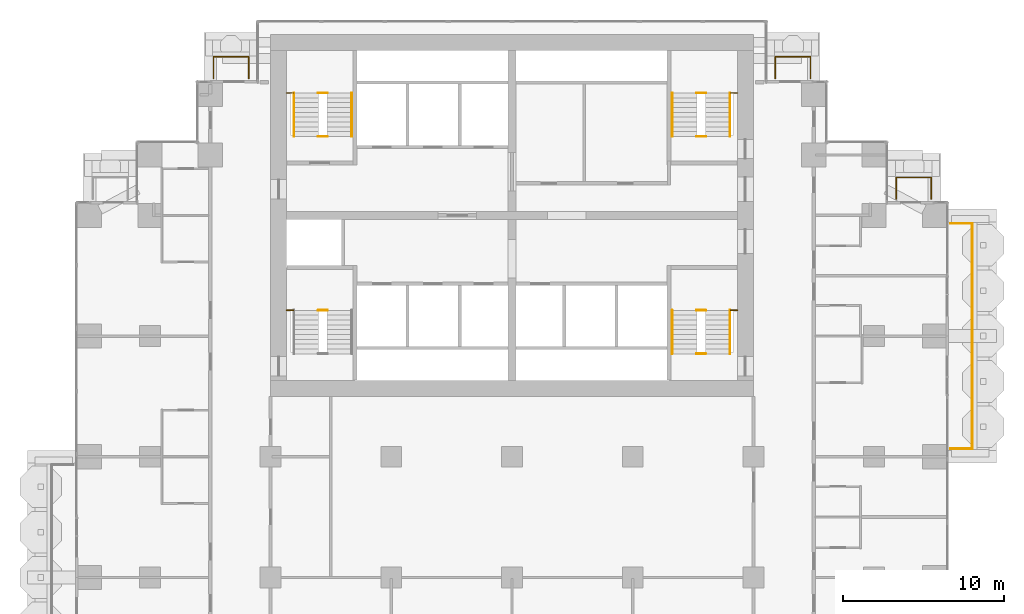
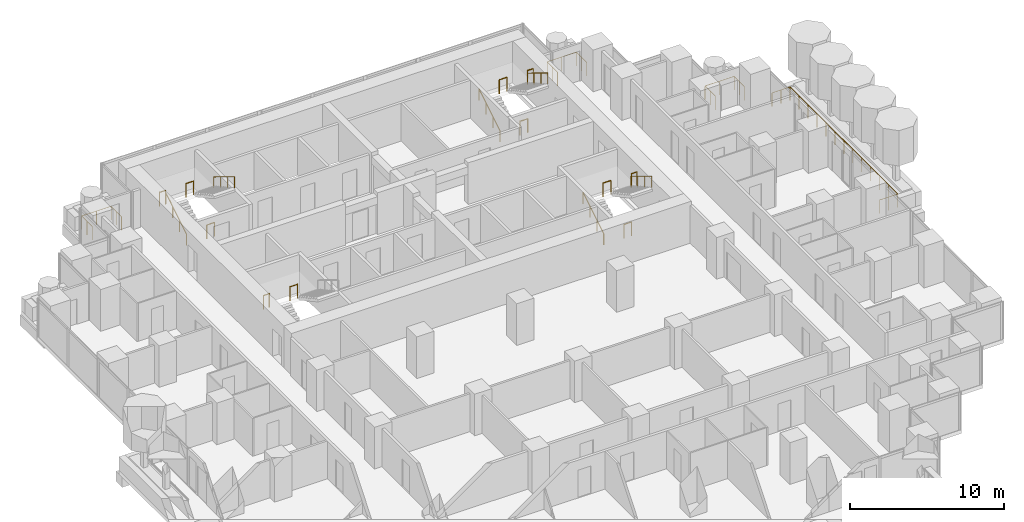
# One storey, part 18 of 19: 21 railings.
"""IFC4 building model written with IfcOpenShell, lengths in metres."""

from ifc_helpers import new_model, si_unit, direction, frame, origin, origin_2d, place, context, subcontext, project, spatial, circle, extrude, material, type_object, element, save


model = new_model("IFC4")

# Units and contexts
model_context = context("Model", 3, precision=1e-05, world=origin(), true_north=direction((0.0, 1.0)))
body_context = subcontext(model_context, "Body", "Model", "MODEL_VIEW")
ifc_project = project(units=[si_unit("LENGTHUNIT", "METRE"), si_unit("AREAUNIT", "SQUARE_METRE"), si_unit("VOLUMEUNIT", "CUBIC_METRE"), si_unit("PLANEANGLEUNIT", "RADIAN"), si_unit("MASSUNIT", "GRAM", prefix="KILO")], contexts=[model_context])

# Site, building, storey
site_placement = place(None, origin())
site = spatial("IfcSite", under=ifc_project, at=site_placement, CompositionType="ELEMENT")
building_placement = place(site_placement, origin())
building = spatial("IfcBuilding", under=site, at=building_placement, Name="Pilkhan Gate Tower", CompositionType="ELEMENT")
storey_placement = place(building_placement, frame((0.0, 0.0, 79.10009765625)))
storey = spatial("IfcBuildingStorey", under=building, at=storey_placement, Name="L18", CompositionType="ELEMENT", Elevation=79.10009765625)

# Railings
ifc_material_1 = material(Name="Pale anodised aluminium posts, laminated glass infill", Category="aluminium")
railing_type_1 = type_object("IfcRailingType", Name="Balcony guard G1", PredefinedType="BALUSTRADE", material=ifc_material_1)
railing_1_placement = place(storey_placement, frame((102.25, 68.0, 0.0)))
element("IfcRailing", 1, at=railing_1_placement, inside=storey, type_object=railing_type_1, Name="Balcony guard L18 E", PredefinedType="BALUSTRADE", context=body_context, shape_type="SweptSolid", body=[
    extrude(circle(Radius=0.02392578125, at=origin_2d()), frame((0.0, 0.0, 1.076171875), z_axis=(1.0, 0.0, 0.0), x_axis=(0.0, 1.0, 0.0)), (0.0, 0.0, 1.0), 1.35009765625),
    extrude(circle(Radius=0.02392578125, at=origin_2d()), frame((1.35009765625, 0.0, 1.076171875), z_axis=(0.0, 1.0, 0.0), x_axis=(-1.0, 0.0, 0.0)), (0.0, 0.0, 1.0), 14.0),
    extrude(circle(Radius=0.02392578125, at=origin_2d()), frame((1.35009765625, 14.0, 1.076171875), z_axis=(-1.0, 0.0, 0.0), x_axis=(0.0, -1.0, 0.0)), (0.0, 0.0, 1.0), 1.35009765625),
    extrude(circle(Radius=0.02099609375, at=origin_2d()), origin(), (0.0, 0.0, 1.0), 1.052001953125),
    extrude(circle(Radius=0.02099609375, at=origin_2d()), frame((0.675048828125, 0.0, 0.0)), (0.0, 0.0, 1.0), 1.052001953125),
    extrude(circle(Radius=0.02099609375, at=origin_2d()), frame((1.35009765625, 0.0, 0.0)), (0.0, 0.0, 1.0), 1.052001953125),
    extrude(circle(Radius=0.02099609375, at=origin_2d()), frame((1.35009765625, 1.166748046875, 0.0)), (0.0, 0.0, 1.0), 1.052001953125),
    extrude(circle(Radius=0.02099609375, at=origin_2d()), frame((1.35009765625, 2.333251953125, 0.0)), (0.0, 0.0, 1.0), 1.052001953125),
    extrude(circle(Radius=0.02099609375, at=origin_2d()), frame((1.35009765625, 3.5, 0.0)), (0.0, 0.0, 1.0), 1.052001953125),
    extrude(circle(Radius=0.02099609375, at=origin_2d()), frame((1.35009765625, 4.666748046875, 0.0)), (0.0, 0.0, 1.0), 1.052001953125),
    extrude(circle(Radius=0.02099609375, at=origin_2d()), frame((1.35009765625, 5.833251953125, 0.0)), (0.0, 0.0, 1.0), 1.052001953125),
    extrude(circle(Radius=0.02099609375, at=origin_2d()), frame((1.35009765625, 7.0, 0.0)), (0.0, 0.0, 1.0), 1.052001953125),
    extrude(circle(Radius=0.02099609375, at=origin_2d()), frame((1.35009765625, 8.166748046875, 0.0)), (0.0, 0.0, 1.0), 1.052001953125),
    extrude(circle(Radius=0.02099609375, at=origin_2d()), frame((1.35009765625, 9.333251953125, 0.0)), (0.0, 0.0, 1.0), 1.052001953125),
    extrude(circle(Radius=0.02099609375, at=origin_2d()), frame((1.35009765625, 10.5, 0.0)), (0.0, 0.0, 1.0), 1.052001953125),
    extrude(circle(Radius=0.02099609375, at=origin_2d()), frame((1.35009765625, 11.666748046875, 0.0)), (0.0, 0.0, 1.0), 1.052001953125),
    extrude(circle(Radius=0.02099609375, at=origin_2d()), frame((1.35009765625, 12.833251953125, 0.0)), (0.0, 0.0, 1.0), 1.052001953125),
    extrude(circle(Radius=0.02099609375, at=origin_2d()), frame((1.35009765625, 14.0, 0.0)), (0.0, 0.0, 1.0), 1.052001953125),
    extrude(circle(Radius=0.02099609375, at=origin_2d()), frame((0.675048828125, 14.0, 0.0)), (0.0, 0.0, 1.0), 1.052001953125),
    extrude(circle(Radius=0.02099609375, at=origin_2d()), frame((0.0, 14.0, 0.0)), (0.0, 0.0, 1.0), 1.052001953125),
])
for number, where, name in (
    (2, (56.449951171875, 91.0, 0.0), "Balcony guard L18 N"),
    (3, (91.35009765625, 91.0, 0.0), "Balcony guard L18 N"),
):
    element("IfcRailing", number, at=place(storey_placement, frame(where)), inside=storey, type_object=railing_type_1, Name=name, PredefinedType="BALUSTRADE", context=body_context, shape_type="SweptSolid", body=[
        extrude(circle(Radius=0.02392578125, at=origin_2d()), frame((0.0, 0.0, 1.076171875), z_axis=(0.0, 1.0, 0.0), x_axis=(-1.0, 0.0, 0.0)), (0.0, 0.0, 1.0), 1.35009765625),
        extrude(circle(Radius=0.02392578125, at=origin_2d()), frame((0.0, 1.35009765625, 1.076171875), z_axis=(1.0, 0.0, 0.0), x_axis=(0.0, 1.0, 0.0)), (0.0, 0.0, 1.0), 2.199951171875),
        extrude(circle(Radius=0.02392578125, at=origin_2d()), frame((2.199951171875, 1.35009765625, 1.076171875), z_axis=(0.0, -1.0, 0.0), x_axis=(1.0, 0.0, 0.0)), (0.0, 0.0, 1.0), 1.35009765625),
        extrude(circle(Radius=0.02099609375, at=origin_2d()), origin(), (0.0, 0.0, 1.0), 1.052001953125),
        extrude(circle(Radius=0.02099609375, at=origin_2d()), frame((0.0, 0.675048828125, 0.0)), (0.0, 0.0, 1.0), 1.052001953125),
        extrude(circle(Radius=0.02099609375, at=origin_2d()), frame((0.0, 1.35009765625, 0.0)), (0.0, 0.0, 1.0), 1.052001953125),
        extrude(circle(Radius=0.02099609375, at=origin_2d()), frame((1.10009765625, 1.35009765625, 0.0)), (0.0, 0.0, 1.0), 1.052001953125),
        extrude(circle(Radius=0.02099609375, at=origin_2d()), frame((2.199951171875, 1.35009765625, 0.0)), (0.0, 0.0, 1.0), 1.052001953125),
        extrude(circle(Radius=0.02099609375, at=origin_2d()), frame((2.199951171875, 0.675048828125, 0.0)), (0.0, 0.0, 1.0), 1.052001953125),
        extrude(circle(Radius=0.02099609375, at=origin_2d()), frame((2.199951171875, 0.0, 0.0)), (0.0, 0.0, 1.0), 1.052001953125),
    ])
railing_2_placement = place(storey_placement, frame((98.8701171875, 83.52001953125, 0.0)))
element("IfcRailing", 4, at=railing_2_placement, inside=storey, type_object=railing_type_1, Name="Balcony guard L18 N", PredefinedType="BALUSTRADE", context=body_context, shape_type="SweptSolid", body=[
    extrude(circle(Radius=0.02392578125, at=origin_2d()), frame((0.0, 0.0, 1.076171875), z_axis=(0.0, 1.0, 0.0), x_axis=(-1.0, 0.0, 0.0)), (0.0, 0.0, 1.0), 1.330078125),
    extrude(circle(Radius=0.02392578125, at=origin_2d()), frame((0.0, 1.330078125, 1.076171875), z_axis=(1.0, 0.0, 0.0), x_axis=(0.0, 1.0, 0.0)), (0.0, 0.0, 1.0), 2.179931640625),
    extrude(circle(Radius=0.02392578125, at=origin_2d()), frame((2.179931640625, 1.330078125, 1.076171875), z_axis=(0.0, -1.0, 0.0), x_axis=(1.0, 0.0, 0.0)), (0.0, 0.0, 1.0), 1.330078125),
    extrude(circle(Radius=0.02099609375, at=origin_2d()), origin(), (0.0, 0.0, 1.0), 1.052001953125),
    extrude(circle(Radius=0.02099609375, at=origin_2d()), frame((0.0, 0.6650390625, 0.0)), (0.0, 0.0, 1.0), 1.052001953125),
    extrude(circle(Radius=0.02099609375, at=origin_2d()), frame((0.0, 1.330078125, 0.0)), (0.0, 0.0, 1.0), 1.052001953125),
    extrude(circle(Radius=0.02099609375, at=origin_2d()), frame((1.08984375, 1.330078125, 0.0)), (0.0, 0.0, 1.0), 1.052001953125),
    extrude(circle(Radius=0.02099609375, at=origin_2d()), frame((2.179931640625, 1.330078125, 0.0)), (0.0, 0.0, 1.0), 1.052001953125),
    extrude(circle(Radius=0.02099609375, at=origin_2d()), frame((2.179931640625, 0.6650390625, 0.0)), (0.0, 0.0, 1.0), 1.052001953125),
    extrude(circle(Radius=0.02099609375, at=origin_2d()), frame((2.179931640625, 0.0, 0.0)), (0.0, 0.0, 1.0), 1.052001953125),
])
ifc_material_2 = material(Name="Black powder-coated steel tube", Category="steel")
railing_type_2 = type_object("IfcRailingType", Name="Stair handrail HR1", PredefinedType="HANDRAIL", material=ifc_material_2)
railing_3_placement = place(storey_placement, frame((84.949951171875, 73.89990234375, 0.0)))
element("IfcRailing", 5, at=railing_3_placement, inside=storey, type_object=railing_type_2, Name="Stair ST1 handrail L18", PredefinedType="HANDRAIL", context=body_context, shape_type="SweptSolid", body=[
    extrude(circle(Radius=0.02392578125, at=origin_2d()), frame((0.0, 0.0, 0.8759765625), z_axis=(0.0, 0.853312346642, 0.521400075823), x_axis=(-1.0, 0.0, 0.0)), (0.0, 0.0, 1.0), 3.164306640625),
    extrude(circle(Radius=0.02099609375, at=origin_2d()), origin(), (0.0, 0.0, 1.0), 0.851806640625),
    extrude(circle(Radius=0.02099609375, at=origin_2d()), frame((0.0, 0.900146484375, 0.550048828125)), (0.0, 0.0, 1.0), 0.851806640625),
    extrude(circle(Radius=0.02099609375, at=origin_2d()), frame((0.0, 1.800048828125, 1.099853515625)), (0.0, 0.0, 1.0), 0.851806640625),
    extrude(circle(Radius=0.02099609375, at=origin_2d()), frame((0.0, 2.7001953125, 1.64990234375)), (0.0, 0.0, 1.0), 0.851806640625),
])
railing_4_placement = place(storey_placement, frame((88.550048828125, 76.60009765625, 1.64990234375)))
element("IfcRailing", 6, at=railing_4_placement, inside=storey, type_object=railing_type_2, Name="Stair ST1 handrail L18", PredefinedType="HANDRAIL", context=body_context, shape_type="SweptSolid", body=[
    extrude(circle(Radius=0.02392578125, at=origin_2d()), frame((0.0, 0.0, 0.8759765625), z_axis=(0.0, -0.853312346642, 0.521400075823), x_axis=(1.0, 0.0, 0.0)), (0.0, 0.0, 1.0), 3.164306640625),
    extrude(circle(Radius=0.02099609375, at=origin_2d()), origin(), (0.0, 0.0, 1.0), 0.851806640625),
    extrude(circle(Radius=0.02099609375, at=origin_2d()), frame((0.0, -0.900146484375, 0.550048828125)), (0.0, 0.0, 1.0), 0.851806640625),
    extrude(circle(Radius=0.02099609375, at=origin_2d()), frame((0.0, -1.800048828125, 1.099853515625)), (0.0, 0.0, 1.0), 0.851806640625),
    extrude(circle(Radius=0.02099609375, at=origin_2d()), frame((0.0, -2.7001953125, 1.64990234375)), (0.0, 0.0, 1.0), 0.851806640625),
])
railing_5_placement = place(storey_placement, frame((61.449951171875, 87.39990234375, 0.0)))
element("IfcRailing", 7, at=railing_5_placement, inside=storey, type_object=railing_type_2, Name="Stair ST3 handrail L18", PredefinedType="HANDRAIL", context=body_context, shape_type="SweptSolid", body=[
    extrude(circle(Radius=0.02392578125, at=origin_2d()), frame((0.0, 0.0, 0.8759765625), z_axis=(0.0, 0.853312346642, 0.521400075823), x_axis=(-1.0, 0.0, 0.0)), (0.0, 0.0, 1.0), 3.164306640625),
    extrude(circle(Radius=0.02099609375, at=origin_2d()), origin(), (0.0, 0.0, 1.0), 0.851806640625),
    extrude(circle(Radius=0.02099609375, at=origin_2d()), frame((0.0, 0.900146484375, 0.550048828125)), (0.0, 0.0, 1.0), 0.851806640625),
    extrude(circle(Radius=0.02099609375, at=origin_2d()), frame((0.0, 1.800048828125, 1.099853515625)), (0.0, 0.0, 1.0), 0.851806640625),
    extrude(circle(Radius=0.02099609375, at=origin_2d()), frame((0.0, 2.7001953125, 1.64990234375)), (0.0, 0.0, 1.0), 0.851806640625),
])
railing_6_placement = place(storey_placement, frame((65.050048828125, 90.10009765625, 1.64990234375)))
element("IfcRailing", 8, at=railing_6_placement, inside=storey, type_object=railing_type_2, Name="Stair ST3 handrail L18", PredefinedType="HANDRAIL", context=body_context, shape_type="SweptSolid", body=[
    extrude(circle(Radius=0.02392578125, at=origin_2d()), frame((0.0, 0.0, 0.8759765625), z_axis=(0.0, -0.853312346642, 0.521400075823), x_axis=(1.0, 0.0, 0.0)), (0.0, 0.0, 1.0), 3.164306640625),
    extrude(circle(Radius=0.02099609375, at=origin_2d()), origin(), (0.0, 0.0, 1.0), 0.851806640625),
    extrude(circle(Radius=0.02099609375, at=origin_2d()), frame((0.0, -0.900146484375, 0.550048828125)), (0.0, 0.0, 1.0), 0.851806640625),
    extrude(circle(Radius=0.02099609375, at=origin_2d()), frame((0.0, -1.800048828125, 1.099853515625)), (0.0, 0.0, 1.0), 0.851806640625),
    extrude(circle(Radius=0.02099609375, at=origin_2d()), frame((0.0, -2.7001953125, 1.64990234375)), (0.0, 0.0, 1.0), 0.851806640625),
])
railing_7_placement = place(storey_placement, frame((84.949951171875, 87.39990234375, 0.0)))
element("IfcRailing", 9, at=railing_7_placement, inside=storey, type_object=railing_type_2, Name="Stair ST4 handrail L18", PredefinedType="HANDRAIL", context=body_context, shape_type="SweptSolid", body=[
    extrude(circle(Radius=0.02392578125, at=origin_2d()), frame((0.0, 0.0, 0.8759765625), z_axis=(0.0, 0.853312346642, 0.521400075823), x_axis=(-1.0, 0.0, 0.0)), (0.0, 0.0, 1.0), 3.164306640625),
    extrude(circle(Radius=0.02099609375, at=origin_2d()), origin(), (0.0, 0.0, 1.0), 0.851806640625),
    extrude(circle(Radius=0.02099609375, at=origin_2d()), frame((0.0, 0.900146484375, 0.550048828125)), (0.0, 0.0, 1.0), 0.851806640625),
    extrude(circle(Radius=0.02099609375, at=origin_2d()), frame((0.0, 1.800048828125, 1.099853515625)), (0.0, 0.0, 1.0), 0.851806640625),
    extrude(circle(Radius=0.02099609375, at=origin_2d()), frame((0.0, 2.7001953125, 1.64990234375)), (0.0, 0.0, 1.0), 0.851806640625),
])
railing_8_placement = place(storey_placement, frame((88.550048828125, 90.10009765625, 1.64990234375)))
element("IfcRailing", 10, at=railing_8_placement, inside=storey, type_object=railing_type_2, Name="Stair ST4 handrail L18", PredefinedType="HANDRAIL", context=body_context, shape_type="SweptSolid", body=[
    extrude(circle(Radius=0.02392578125, at=origin_2d()), frame((0.0, 0.0, 0.8759765625), z_axis=(0.0, -0.853312346642, 0.521400075823), x_axis=(1.0, 0.0, 0.0)), (0.0, 0.0, 1.0), 3.164306640625),
    extrude(circle(Radius=0.02099609375, at=origin_2d()), origin(), (0.0, 0.0, 1.0), 0.851806640625),
    extrude(circle(Radius=0.02099609375, at=origin_2d()), frame((0.0, -0.900146484375, 0.550048828125)), (0.0, 0.0, 1.0), 0.851806640625),
    extrude(circle(Radius=0.02099609375, at=origin_2d()), frame((0.0, -1.800048828125, 1.099853515625)), (0.0, 0.0, 1.0), 0.851806640625),
    extrude(circle(Radius=0.02099609375, at=origin_2d()), frame((0.0, -2.7001953125, 1.64990234375)), (0.0, 0.0, 1.0), 0.851806640625),
])
ifc_material_3 = material(Name="Black powder-coated steel balusters", Category="steel")
railing_type_3 = type_object("IfcRailingType", Name="Stair well guard G3", PredefinedType="GUARDRAIL", material=ifc_material_3)
railing_9_placement = place(storey_placement, frame((88.580078125, 76.60009765625, 1.64990234375)))
element("IfcRailing", 11, at=railing_9_placement, inside=storey, type_object=railing_type_3, Name="Stair ST1 well guard L18", PredefinedType="GUARDRAIL", context=body_context, shape_type="SweptSolid", body=[
    extrude(circle(Radius=0.02392578125, at=origin_2d()), frame((0.0, 0.0, 1.076171875), z_axis=(1.0, 0.0, 0.0), x_axis=(0.0, 1.0, 0.0)), (0.0, 0.0, 1.0), 0.43994140625),
    extrude(circle(Radius=0.02099609375, at=origin_2d()), origin(), (0.0, 0.0, 1.0), 1.052001953125),
    extrude(circle(Radius=0.02099609375, at=origin_2d()), frame((0.43994140625, 0.0, 0.0)), (0.0, 0.0, 1.0), 1.052001953125),
])
for number, where, name in (
    (12, (86.4599609375, 73.89990234375, 0.0), "Stair ST1 well guard L18"),
    (13, (86.4599609375, 76.60009765625, 1.64990234375), "Stair ST1 well guard L18"),
):
    element("IfcRailing", number, at=place(storey_placement, frame(where)), inside=storey, type_object=railing_type_3, Name=name, PredefinedType="GUARDRAIL", context=body_context, shape_type="SweptSolid", body=[
        extrude(circle(Radius=0.02392578125, at=origin_2d()), frame((0.0, 0.0, 1.076171875), z_axis=(1.0, 0.0, 0.0), x_axis=(0.0, 1.0, 0.0)), (0.0, 0.0, 1.0), 0.580078125),
        extrude(circle(Radius=0.02099609375, at=origin_2d()), origin(), (0.0, 0.0, 1.0), 1.052001953125),
        extrude(circle(Radius=0.02099609375, at=origin_2d()), frame((0.580078125, 0.0, 0.0)), (0.0, 0.0, 1.0), 1.052001953125),
    ])
railing_10_placement = place(storey_placement, frame((60.97998046875, 76.60009765625, 1.64990234375)))
element("IfcRailing", 14, at=railing_10_placement, inside=storey, type_object=railing_type_3, Name="Stair ST2 well guard L18", PredefinedType="GUARDRAIL", context=body_context, shape_type="SweptSolid", body=[
    extrude(circle(Radius=0.02392578125, at=origin_2d()), frame((0.0, 0.0, 1.076171875), z_axis=(1.0, 0.0, 0.0), x_axis=(0.0, 1.0, 0.0)), (0.0, 0.0, 1.0), 0.43994140625),
    extrude(circle(Radius=0.02099609375, at=origin_2d()), origin(), (0.0, 0.0, 1.0), 1.052001953125),
    extrude(circle(Radius=0.02099609375, at=origin_2d()), frame((0.43994140625, 0.0, 0.0)), (0.0, 0.0, 1.0), 1.052001953125),
])
railing_11_placement = place(storey_placement, frame((62.9599609375, 76.60009765625, 1.64990234375)))
element("IfcRailing", 15, at=railing_11_placement, inside=storey, type_object=railing_type_3, Name="Stair ST2 well guard L18", PredefinedType="GUARDRAIL", context=body_context, shape_type="SweptSolid", body=[
    extrude(circle(Radius=0.02392578125, at=origin_2d()), frame((0.0, 0.0, 1.076171875), z_axis=(1.0, 0.0, 0.0), x_axis=(0.0, 1.0, 0.0)), (0.0, 0.0, 1.0), 0.580078125),
    extrude(circle(Radius=0.02099609375, at=origin_2d()), origin(), (0.0, 0.0, 1.0), 1.052001953125),
    extrude(circle(Radius=0.02099609375, at=origin_2d()), frame((0.580078125, 0.0, 0.0)), (0.0, 0.0, 1.0), 1.052001953125),
])
railing_12_placement = place(storey_placement, frame((60.97998046875, 90.10009765625, 1.64990234375)))
element("IfcRailing", 16, at=railing_12_placement, inside=storey, type_object=railing_type_3, Name="Stair ST3 well guard L18", PredefinedType="GUARDRAIL", context=body_context, shape_type="SweptSolid", body=[
    extrude(circle(Radius=0.02392578125, at=origin_2d()), frame((0.0, 0.0, 1.076171875), z_axis=(1.0, 0.0, 0.0), x_axis=(0.0, 1.0, 0.0)), (0.0, 0.0, 1.0), 0.43994140625),
    extrude(circle(Radius=0.02099609375, at=origin_2d()), origin(), (0.0, 0.0, 1.0), 1.052001953125),
    extrude(circle(Radius=0.02099609375, at=origin_2d()), frame((0.43994140625, 0.0, 0.0)), (0.0, 0.0, 1.0), 1.052001953125),
])
for number, where, name in (
    (17, (62.9599609375, 87.39990234375, 0.0), "Stair ST3 well guard L18"),
    (18, (62.9599609375, 90.10009765625, 1.64990234375), "Stair ST3 well guard L18"),
):
    element("IfcRailing", number, at=place(storey_placement, frame(where)), inside=storey, type_object=railing_type_3, Name=name, PredefinedType="GUARDRAIL", context=body_context, shape_type="SweptSolid", body=[
        extrude(circle(Radius=0.02392578125, at=origin_2d()), frame((0.0, 0.0, 1.076171875), z_axis=(1.0, 0.0, 0.0), x_axis=(0.0, 1.0, 0.0)), (0.0, 0.0, 1.0), 0.580078125),
        extrude(circle(Radius=0.02099609375, at=origin_2d()), origin(), (0.0, 0.0, 1.0), 1.052001953125),
        extrude(circle(Radius=0.02099609375, at=origin_2d()), frame((0.580078125, 0.0, 0.0)), (0.0, 0.0, 1.0), 1.052001953125),
    ])
railing_13_placement = place(storey_placement, frame((88.580078125, 90.10009765625, 1.64990234375)))
element("IfcRailing", 19, at=railing_13_placement, inside=storey, type_object=railing_type_3, Name="Stair ST4 well guard L18", PredefinedType="GUARDRAIL", context=body_context, shape_type="SweptSolid", body=[
    extrude(circle(Radius=0.02392578125, at=origin_2d()), frame((0.0, 0.0, 1.076171875), z_axis=(1.0, 0.0, 0.0), x_axis=(0.0, 1.0, 0.0)), (0.0, 0.0, 1.0), 0.43994140625),
    extrude(circle(Radius=0.02099609375, at=origin_2d()), origin(), (0.0, 0.0, 1.0), 1.052001953125),
    extrude(circle(Radius=0.02099609375, at=origin_2d()), frame((0.43994140625, 0.0, 0.0)), (0.0, 0.0, 1.0), 1.052001953125),
])
for number, where, name in (
    (20, (86.4599609375, 87.39990234375, 0.0), "Stair ST4 well guard L18"),
    (21, (86.4599609375, 90.10009765625, 1.64990234375), "Stair ST4 well guard L18"),
):
    element("IfcRailing", number, at=place(storey_placement, frame(where)), inside=storey, type_object=railing_type_3, Name=name, PredefinedType="GUARDRAIL", context=body_context, shape_type="SweptSolid", body=[
        extrude(circle(Radius=0.02392578125, at=origin_2d()), frame((0.0, 0.0, 1.076171875), z_axis=(1.0, 0.0, 0.0), x_axis=(0.0, 1.0, 0.0)), (0.0, 0.0, 1.0), 0.580078125),
        extrude(circle(Radius=0.02099609375, at=origin_2d()), origin(), (0.0, 0.0, 1.0), 1.052001953125),
        extrude(circle(Radius=0.02099609375, at=origin_2d()), frame((0.580078125, 0.0, 0.0)), (0.0, 0.0, 1.0), 1.052001953125),
    ])

save(model, "model.ifc")
